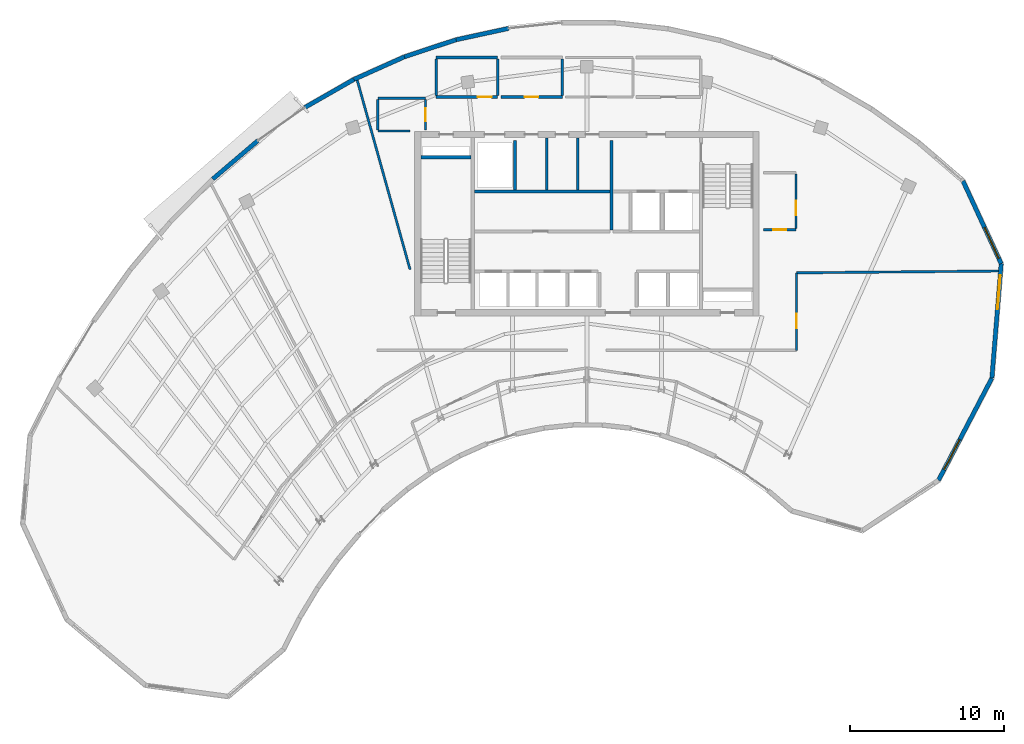
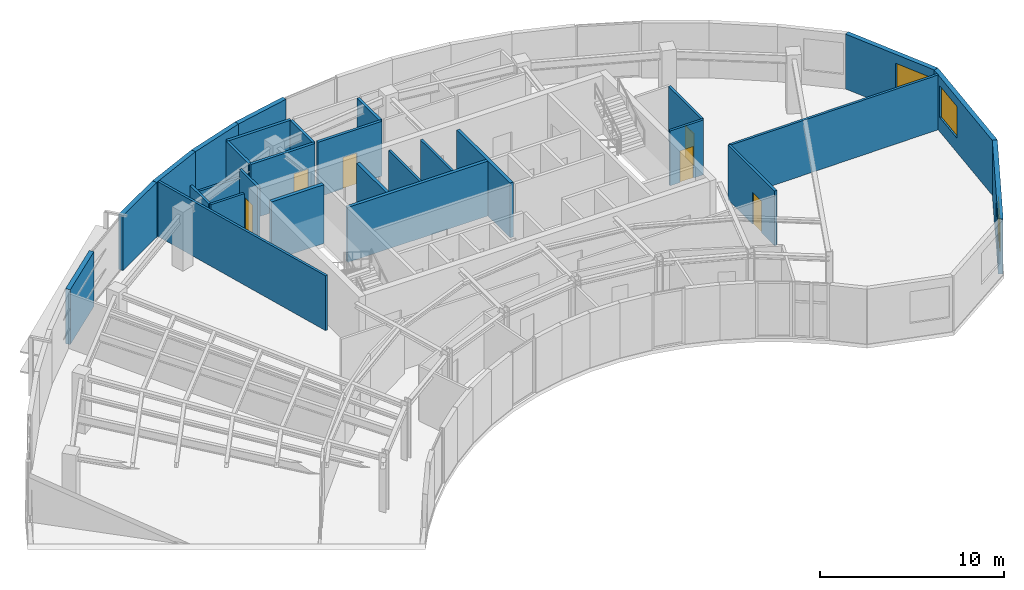
# One storey, part 10 of 13: 29 walls, 6 doors, 3 windows, 9 openings.
"""IFC4 building model written with IfcOpenShell, lengths in metres."""

from ifc_helpers import new_model, si_unit, direction, frame, frame_2d, origin, place, context, subcontext, project, spatial, rectangle, extrude, source, transform, mapped, material, layer, layer_set, type_object, type_shapes, element, fill, save


model = new_model("IFC4")

# Units and contexts
model_context = context("Model", 3, precision=1e-05, world=origin(), true_north=direction((0.0, 1.0)))
body_context = subcontext(model_context, "Body", "Model", "MODEL_VIEW")
ifc_project = project(units=[si_unit("LENGTHUNIT", "METRE"), si_unit("AREAUNIT", "SQUARE_METRE"), si_unit("VOLUMEUNIT", "CUBIC_METRE"), si_unit("PLANEANGLEUNIT", "RADIAN"), si_unit("MASSUNIT", "GRAM", prefix="KILO")], contexts=[model_context])

# Site, building, storey
site_placement = place(None, origin())
site = spatial("IfcSite", under=ifc_project, at=site_placement, CompositionType="ELEMENT")
building_placement = place(site_placement, origin())
building = spatial("IfcBuilding", under=site, at=building_placement, Name="Breltana Convention Tower", CompositionType="ELEMENT")
storey_placement = place(building_placement, frame((0.0, 0.0, 271.800048828125)))
storey = spatial("IfcBuildingStorey", under=building, at=storey_placement, Name="L66", CompositionType="ELEMENT", Elevation=271.800048828125)

# Wall
ifc_material_1 = material(Name="Concrete C50/60", Category="concrete")
ifc_layer_1 = layer(ifc_material_1, 0.39990234375, Name="Concrete C50/60")
ifc_layer_set_1 = layer_set([ifc_layer_1], Name="Concrete C50/60")
wall_type_1 = type_object("IfcWallType", Name="SW-CORE-400", PredefinedType="SHEAR", material=ifc_layer_set_1)
shared_shape_1 = source(origin(), body_context, "Body", "SweptSolid", [
    extrude(rectangle(XDim=3.27001953125, YDim=0.219970703125, at=frame_2d((1.635009765625, 0.0))), origin(), (0.0, 0.0, 1.0), 3.89990234375),
])
wall_1_placement = place(storey_placement, frame((37.199951171875, 70.510009765625, 0.0), z_axis=(0.0, 0.0, 1.0), x_axis=(1.0, 0.0, 0.0)))
element("IfcWall", 1, at=wall_1_placement, inside=storey, type_object=wall_type_1, Name="L66 ST-1 Stairwell North Bearing Wall", PredefinedType="SHEAR", context=body_context, shape_type="MappedRepresentation", body=[
    mapped(shared_shape_1, transform((0.0, 0.0, 0.0), scale=1.0)),
])

# Wall, opening, window
ifc_material_2 = material(Name="Limestone Buff Insulated Wall", Category="masonry")
ifc_layer_2 = layer(ifc_material_2, 0.280029296875, Name="Limestone Buff Insulated Wall")
ifc_layer_set_2 = layer_set([ifc_layer_2], Name="Limestone Buff Insulated Wall")
wall_type_2 = type_object("IfcWallType", Name="WL-EXT-NOSE-280", PredefinedType="SOLIDWALL", material=ifc_layer_set_2)
shared_shape_2 = source(origin(), body_context, "Body", "SweptSolid", [
    extrude(rectangle(XDim=5.927978515625, YDim=0.280029296875, at=frame_2d((2.9638671875, 0.0))), origin(), (0.0, 0.0, 1.0), 3.639892578125),
])
wall_2_placement = place(storey_placement, frame((72.45947265625, 68.978759765625, 0.0), z_axis=(0.0, 0.0, 1.0), x_axis=(0.41942378221, -0.907790554543, 0.0)))
wall_2 = element("IfcWall", 2, at=wall_2_placement, inside=storey, type_object=wall_type_2, Name="L66 curved limestone nose wall E1", PredefinedType="SOLIDWALL", context=body_context, shape_type="MappedRepresentation", body=[
    mapped(shared_shape_2, transform((0.0, 0.0, 0.0), scale=1.0)),
])
opening_1_placement = place(wall_2_placement, frame((3.345947265625, 0.0, 0.949951171875)))
opening_1 = element("IfcOpeningElement", 3, at=opening_1_placement, cuts=wall_2, Name="Opening W-03", PredefinedType="OPENING", context=body_context, shape_type="SweptSolid", body=[
    extrude(rectangle(XDim=2.199951171875, YDim=2.10009765625, at=frame_2d((1.10009765625, 1.050048828125))), frame((0.0, 0.14990234375, 0.0), z_axis=(0.0, -1.0, 0.0), x_axis=(1.0, 0.0, 0.0)), (0.0, 0.0, 1.0), 0.300048828125),
])
ifc_material_3 = material(Name="Glass Low-E Insulated Window", Category="glass")
window_type = type_object("IfcWindowType", Name="WN-NOSE-2200X2100", PartitioningType="TRIPLE_PANEL_VERTICAL", PredefinedType="WINDOW", material=ifc_material_3)
shared_shape_3 = source(origin(), body_context, "Body", "SweptSolid", [
    extrude(rectangle(XDim=2.199951171875, YDim=2.10009765625, at=frame_2d((1.10009765625, 1.050048828125))), frame((0.0, 0.030029296875, 0.0), z_axis=(0.0, -1.0, 0.0), x_axis=(1.0, 0.0, 0.0)), (0.0, 0.0, 1.0), 0.06005859375),
])
type_shapes(window_type, [shared_shape_3])
window_1_placement = place(opening_1_placement, origin())
window_1 = element("IfcWindow", 4, at=window_1_placement, inside=storey, type_object=window_type, Name="L66 nose window E1", OverallHeight=2.10009765625, OverallWidth=2.199951171875, PartitioningType="TRIPLE_PANEL_VERTICAL", PredefinedType="WINDOW", context=body_context, shape_type="MappedRepresentation", body=[
    mapped(shared_shape_3, transform((0.0, 0.0, 0.0), scale=1.0)),
])
fill(opening_1, window_1)

shared_shape_4 = source(origin(), body_context, "Body", "SweptSolid", [
    extrude(rectangle(XDim=7.4658203125, YDim=0.280029296875, at=frame_2d((3.73291015625, 0.0))), origin(), (0.0, 0.0, 1.0), 3.639892578125),
])
wall_3_placement = place(storey_placement, frame((74.94580078125, 63.597412109375, 0.0), z_axis=(0.0, 0.0, 1.0), x_axis=(-0.080804454221, -0.996729973553, 0.0)))
wall_3 = element("IfcWall", 5, at=wall_3_placement, inside=storey, type_object=wall_type_2, Name="L66 curved limestone nose wall E2", PredefinedType="SOLIDWALL", context=body_context, shape_type="MappedRepresentation", body=[
    mapped(shared_shape_4, transform((0.0, 0.0, 0.0), scale=1.0)),
])
opening_2_placement = place(wall_3_placement, frame((0.7666015625, 0.0, 0.949951171875)))
opening_2 = element("IfcOpeningElement", 6, at=opening_2_placement, cuts=wall_3, Name="Opening W-03", PredefinedType="OPENING", context=body_context, shape_type="SweptSolid", body=[
    extrude(rectangle(XDim=2.199951171875, YDim=2.10009765625, at=frame_2d((1.10009765625, 1.050048828125))), frame((0.0, 0.14990234375, 0.0), z_axis=(0.0, -1.0, 0.0), x_axis=(1.0, 0.0, 0.0)), (0.0, 0.0, 1.0), 0.300048828125),
])
window_2_placement = place(opening_2_placement, origin())
window_2 = element("IfcWindow", 7, at=window_2_placement, inside=storey, type_object=window_type, Name="L66 nose window E2", OverallHeight=2.10009765625, OverallWidth=2.199951171875, PartitioningType="TRIPLE_PANEL_VERTICAL", PredefinedType="WINDOW", context=body_context, shape_type="MappedRepresentation", body=[
    mapped(shared_shape_3, transform((0.0, 0.0, 0.0), scale=1.0)),
])
fill(opening_2, window_2)

shared_shape_5 = source(origin(), body_context, "Body", "SweptSolid", [
    extrude(rectangle(XDim=7.494873046875, YDim=0.280029296875, at=frame_2d((3.74755859375, 0.0))), origin(), (0.0, 0.0, 1.0), 3.639892578125),
])
wall_4_placement = place(storey_placement, frame((74.342529296875, 56.156005859375, 0.0), z_axis=(0.0, 0.0, 1.0), x_axis=(-0.463116979657, -0.886297164135, 0.0)))
wall_4 = element("IfcWall", 8, at=wall_4_placement, inside=storey, type_object=wall_type_2, Name="L66 curved limestone nose wall E3", PredefinedType="SOLIDWALL", context=body_context, shape_type="MappedRepresentation", body=[
    mapped(shared_shape_5, transform((0.0, 0.0, 0.0), scale=1.0)),
])
opening_3_placement = place(wall_4_placement, frame((4.52099609375, 0.0, 0.949951171875)))
opening_3 = element("IfcOpeningElement", 9, at=opening_3_placement, cuts=wall_4, Name="Opening W-03", PredefinedType="OPENING", context=body_context, shape_type="SweptSolid", body=[
    extrude(rectangle(XDim=2.199951171875, YDim=2.10009765625, at=frame_2d((1.10009765625, 1.050048828125))), frame((0.0, 0.14990234375, 0.0), z_axis=(0.0, -1.0, 0.0), x_axis=(1.0, 0.0, 0.0)), (0.0, 0.0, 1.0), 0.300048828125),
])
window_3_placement = place(opening_3_placement, origin())
window_3 = element("IfcWindow", 10, at=window_3_placement, inside=storey, type_object=window_type, Name="L66 nose window E3", OverallHeight=2.10009765625, OverallWidth=2.199951171875, PartitioningType="TRIPLE_PANEL_VERTICAL", PredefinedType="WINDOW", context=body_context, shape_type="MappedRepresentation", body=[
    mapped(shared_shape_3, transform((0.0, 0.0, 0.0), scale=1.0)),
])
fill(opening_3, window_3)

# Walls
shared_shape_6 = source(origin(), body_context, "Body", "SweptSolid", [
    extrude(rectangle(XDim=3.842529296875, YDim=0.280029296875, at=frame_2d((1.92138671875, 0.0))), origin(), (0.0, 0.0, 1.0), 3.639892578125),
])
wall_5_placement = place(storey_placement, frame((23.669677734375, 69.101318359375, 0.0), z_axis=(0.0, 0.0, 1.0), x_axis=(0.761508028279, 0.648155477387, 0.0)))
element("IfcWall", 11, at=wall_5_placement, inside=storey, type_object=wall_type_2, Name="L66 curved limestone nose wall E23", PredefinedType="SOLIDWALL", context=body_context, shape_type="MappedRepresentation", body=[
    mapped(shared_shape_6, transform((0.0, 0.0, 0.0), scale=1.0)),
])
shared_shape_7 = source(origin(), body_context, "Body", "SweptSolid", [
    extrude(rectangle(XDim=3.6708984375, YDim=0.280029296875, at=frame_2d((1.83544921875, 0.0))), origin(), (0.0, 0.0, 1.0), 3.639892578125),
])
wall_6_placement = place(storey_placement, frame((29.66162109375, 73.755615234375, 0.0), z_axis=(0.0, 0.0, 1.0), x_axis=(0.867931917784, 0.496683184829, 0.0)))
element("IfcWall", 12, at=wall_6_placement, inside=storey, type_object=wall_type_2, Name="L66 curved limestone nose wall E24", PredefinedType="SOLIDWALL", context=body_context, shape_type="MappedRepresentation", body=[
    mapped(shared_shape_7, transform((0.0, 0.0, 0.0), scale=1.0)),
])
shared_shape_8 = source(origin(), body_context, "Body", "SweptSolid", [
    extrude(rectangle(XDim=3.598876953125, YDim=0.280029296875, at=frame_2d((1.79931640625, 0.0))), origin(), (0.0, 0.0, 1.0), 3.639892578125),
])
wall_7_placement = place(storey_placement, frame((32.84765625, 75.578857421875, 0.0), z_axis=(0.0, 0.0, 1.0), x_axis=(0.912714407797, 0.40859810303, 0.0)))
element("IfcWall", 13, at=wall_7_placement, inside=storey, type_object=wall_type_2, Name="L66 curved limestone nose wall E25", PredefinedType="SOLIDWALL", context=body_context, shape_type="MappedRepresentation", body=[
    mapped(shared_shape_8, transform((0.0, 0.0, 0.0), scale=1.0)),
])
shared_shape_9 = source(origin(), body_context, "Body", "SweptSolid", [
    extrude(rectangle(XDim=3.540283203125, YDim=0.280029296875, at=frame_2d((1.77001953125, 0.0))), origin(), (0.0, 0.0, 1.0), 3.639892578125),
])
wall_8_placement = place(storey_placement, frame((36.13232421875, 77.04931640625, 0.0), z_axis=(0.0, 0.0, 1.0), x_axis=(0.949678507031, 0.313226329165, 0.0)))
element("IfcWall", 14, at=wall_8_placement, inside=storey, type_object=wall_type_2, Name="L66 curved limestone nose wall E26", PredefinedType="SOLIDWALL", context=body_context, shape_type="MappedRepresentation", body=[
    mapped(shared_shape_9, transform((0.0, 0.0, 0.0), scale=1.0)),
])
shared_shape_10 = source(origin(), body_context, "Body", "SweptSolid", [
    extrude(rectangle(XDim=3.49658203125, YDim=0.280029296875, at=frame_2d((1.748291015625, 0.0))), origin(), (0.0, 0.0, 1.0), 3.639892578125),
])
wall_9_placement = place(storey_placement, frame((39.494384765625, 78.158203125, 0.0), z_axis=(0.0, 0.0, 1.0), x_axis=(0.977379460136, 0.211493240802, 0.0)))
element("IfcWall", 15, at=wall_9_placement, inside=storey, type_object=wall_type_2, Name="L66 curved limestone nose wall E27", PredefinedType="SOLIDWALL", context=body_context, shape_type="MappedRepresentation", body=[
    mapped(shared_shape_10, transform((0.0, 0.0, 0.0), scale=1.0)),
])
ifc_material_4 = material(Name="Autoclaved Aerated Concrete Block", Category="concrete")
ifc_layer_3 = layer(ifc_material_4, 0.199951171875, Name="Autoclaved Aerated Concrete Block")
ifc_layer_set_3 = layer_set([ifc_layer_3], Name="Autoclaved Aerated Concrete Block")
wall_type_3 = type_object("IfcWallType", Name="WL-SHAFT-200", PredefinedType="SOLIDWALL", material=ifc_layer_set_3)
shared_shape_11 = source(origin(), body_context, "Body", "SweptSolid", [
    extrude(rectangle(XDim=5.800048828125, YDim=0.199951171875, at=frame_2d((2.89990234375, 0.0))), origin(), (0.0, 0.0, 1.0), 3.639892578125),
])
wall_10_placement = place(storey_placement, frame((49.60009765625, 65.800048828125, 0.0), z_axis=(0.0, 0.0, 1.0), x_axis=(0.0, 1.0, 0.0)))
element("IfcWall", 16, at=wall_10_placement, inside=storey, type_object=wall_type_3, Name="L66 interior partition W-L66-FFL-W", PredefinedType="SOLIDWALL", context=body_context, shape_type="MappedRepresentation", body=[
    mapped(shared_shape_11, transform((0.0, 0.0, 0.0), scale=1.0)),
])
shared_shape_12 = source(origin(), body_context, "Body", "SweptSolid", [
    extrude(rectangle(XDim=3.2001953125, YDim=0.199951171875, at=frame_2d((1.60009765625, 0.0))), origin(), (0.0, 0.0, 1.0), 3.639892578125),
])
wall_11_placement = place(storey_placement, frame((43.320068359375, 68.39990234375, 0.0), z_axis=(0.0, 0.0, 1.0), x_axis=(0.0, 1.0, 0.0)))
element("IfcWall", 17, at=wall_11_placement, inside=storey, type_object=wall_type_3, Name="L66 interior partition W-L66-SV-E", PredefinedType="SOLIDWALL", context=body_context, shape_type="MappedRepresentation", body=[
    mapped(shared_shape_12, transform((0.0, 0.0, 0.0), scale=1.0)),
])
shared_shape_13 = source(origin(), body_context, "Body", "SweptSolid", [
    extrude(rectangle(XDim=8.800048828125, YDim=0.199951171875, at=frame_2d((4.39990234375, 0.0))), origin(), (0.0, 0.0, 1.0), 3.639892578125),
])
wall_12_placement = place(storey_placement, frame((40.699951171875, 68.300048828125, 0.0), z_axis=(0.0, 0.0, 1.0), x_axis=(1.0, 0.0, 0.0)))
element("IfcWall", 18, at=wall_12_placement, inside=storey, type_object=wall_type_3, Name="L66 interior partition W-L66-SV-S", PredefinedType="SOLIDWALL", context=body_context, shape_type="MappedRepresentation", body=[
    mapped(shared_shape_13, transform((0.0, 0.0, 0.0), scale=1.0)),
])
ifc_material_5 = material(Name="Gypsum Acoustic Drywall Partition")
ifc_layer_4 = layer(ifc_material_5, 0.14990234375, Name="Gypsum Acoustic Drywall Partition")
ifc_layer_set_4 = layer_set([ifc_layer_4], Name="Gypsum Acoustic Drywall Partition")
wall_type_4 = type_object("IfcWallType", Name="WL-PART-150", PredefinedType="PARTITIONING", material=ifc_layer_set_4)
shared_shape_14 = source(origin(), body_context, "Body", "SweptSolid", [
    extrude(rectangle(XDim=2.10009765625, YDim=0.14990234375, at=frame_2d((1.050048828125, 0.0))), origin(), (0.0, 0.0, 1.0), 3.639892578125),
])
wall_13_placement = place(storey_placement, frame((34.39990234375, 72.219970703125, 0.0), z_axis=(0.0, 0.0, 1.0), x_axis=(1.0, 0.0, 0.0)))
element("IfcWall", 19, at=wall_13_placement, inside=storey, type_object=wall_type_4, Name="L66 interior partition W-L66-CRNE-S", PredefinedType="PARTITIONING", context=body_context, shape_type="MappedRepresentation", body=[
    mapped(shared_shape_14, transform((0.0, 0.0, 0.0), scale=1.0)),
])

# Wall, opening, door
wall_14_placement = place(storey_placement, frame((59.5, 65.800048828125, 0.0), z_axis=(0.0, 0.0, 1.0), x_axis=(1.0, 0.0, 0.0)))
wall_14 = element("IfcWall", 20, at=wall_14_placement, inside=storey, type_object=wall_type_4, Name="L66 interior partition W-L66-CRSE-S", PredefinedType="PARTITIONING", context=body_context, shape_type="MappedRepresentation", body=[
    mapped(shared_shape_14, transform((0.0, 0.0, 0.0), scale=1.0)),
])
opening_4_placement = place(wall_14_placement, frame((0.625, 0.0, 0.0)))
opening_4 = element("IfcOpeningElement", 21, at=opening_4_placement, cuts=wall_14, Name="Opening D-20", PredefinedType="OPENING", context=body_context, shape_type="SweptSolid", body=[
    extrude(rectangle(XDim=0.85009765625, YDim=2.10009765625, at=frame_2d((0.425048828125, 1.050048828125))), frame((0.0, 0.0849609375, 0.0), z_axis=(0.0, -1.0, 0.0), x_axis=(1.0, 0.0, 0.0)), (0.0, 0.0, 1.0), 0.169921875),
])
ifc_material_6 = material(Name="Steel Closet Fire Door", Category="steel")
door_type_1 = type_object("IfcDoorType", Name="DR-FD60-850", OperationType="NOTDEFINED", PredefinedType="DOOR", material=ifc_material_6)
shared_shape_15 = source(origin(), body_context, "Body", "SweptSolid", [
    extrude(rectangle(XDim=0.85009765625, YDim=2.10009765625, at=frame_2d((0.425048828125, 1.050048828125))), frame((0.0, 0.02490234375, 0.0), z_axis=(0.0, -1.0, 0.0), x_axis=(1.0, 0.0, 0.0)), (0.0, 0.0, 1.0), 0.050048828125),
])
type_shapes(door_type_1, [shared_shape_15])
door_1_placement = place(opening_4_placement, origin())
door_1 = element("IfcDoor", 22, at=door_1_placement, inside=storey, type_object=door_type_1, Name="L66 interior door D-L66-CRSE", OperationType="SINGLE_SWING_LEFT", OverallHeight=2.10009765625, OverallWidth=0.85009765625, PredefinedType="DOOR", context=body_context, shape_type="MappedRepresentation", body=[
    mapped(shared_shape_15, transform((0.0, 0.0, 0.0), scale=1.0)),
])
fill(opening_4, door_1)

# Wall
shared_shape_16 = source(origin(), body_context, "Body", "SweptSolid", [
    extrude(rectangle(XDim=1.994873046875, YDim=0.14990234375, at=frame_2d((0.99755859375, 0.0))), origin(), (0.0, 0.0, 1.0), 3.639892578125),
])
wall_15_placement = place(storey_placement, frame((34.39990234375, 72.28759765625, 0.0), z_axis=(0.0, 0.0, 1.0), x_axis=(0.0, 1.0, 0.0)))
element("IfcWall", 23, at=wall_15_placement, inside=storey, type_object=wall_type_4, Name="L66 interior partition W-L66-CRNE-W", PredefinedType="PARTITIONING", context=body_context, shape_type="MappedRepresentation", body=[
    mapped(shared_shape_16, transform((0.0, 0.0, 0.0), scale=1.0)),
])

# Wall, opening, door
shared_shape_17 = source(origin(), body_context, "Body", "SweptSolid", [
    extrude(rectangle(XDim=1.982421875, YDim=0.14990234375, at=frame_2d((0.9912109375, 0.0))), origin(), (0.0, 0.0, 1.0), 3.639892578125),
])
wall_16_placement = place(storey_placement, frame((37.5, 72.300048828125, 0.0), z_axis=(0.0, 0.0, 1.0), x_axis=(0.0, 1.0, 0.0)))
wall_16 = element("IfcWall", 24, at=wall_16_placement, inside=storey, type_object=wall_type_4, Name="L66 interior partition W-L66-CRNE-E", PredefinedType="PARTITIONING", context=body_context, shape_type="MappedRepresentation", body=[
    mapped(shared_shape_17, transform((0.0, 0.0, 0.0), scale=1.0)),
])
opening_5_placement = place(wall_16_placement, frame((0.56640625, 0.0, 0.0)))
opening_5 = element("IfcOpeningElement", 25, at=opening_5_placement, cuts=wall_16, Name="Opening D-20", PredefinedType="OPENING", context=body_context, shape_type="SweptSolid", body=[
    extrude(rectangle(XDim=0.85009765625, YDim=2.10009765625, at=frame_2d((0.425048828125, 1.050048828125))), frame((0.0, 0.0849609375, 0.0), z_axis=(0.0, -1.0, 0.0), x_axis=(1.0, 0.0, 0.0)), (0.0, 0.0, 1.0), 0.169921875),
])
door_2_placement = place(opening_5_placement, origin())
door_2 = element("IfcDoor", 26, at=door_2_placement, inside=storey, type_object=door_type_1, Name="L66 interior door D-L66-CRNE", OperationType="SINGLE_SWING_RIGHT", OverallHeight=2.10009765625, OverallWidth=0.85009765625, PredefinedType="DOOR", context=body_context, shape_type="MappedRepresentation", body=[
    mapped(shared_shape_15, transform((0.0, 0.0, 0.0), scale=1.0)),
])
fill(opening_5, door_2)

ifc_material_7 = material(Name="Cement Board Wet-Area Partition")
ifc_layer_5 = layer(ifc_material_7, 0.175048828125, Name="Cement Board Wet-Area Partition")
ifc_layer_set_5 = layer_set([ifc_layer_5], Name="Cement Board Wet-Area Partition")
wall_type_5 = type_object("IfcWallType", Name="WL-WET-175", PredefinedType="PARTITIONING", material=ifc_layer_set_5)
shared_shape_18 = source(origin(), body_context, "Body", "SweptSolid", [
    extrude(rectangle(XDim=4.0, YDim=0.175048828125, at=frame_2d((2.0, 0.0))), origin(), (0.0, 0.0, 1.0), 3.639892578125),
])
wall_17_placement = place(storey_placement, frame((38.199951171875, 74.43994140625, 0.0), z_axis=(0.0, 0.0, 1.0), x_axis=(1.0, 0.0, 0.0)))
wall_17 = element("IfcWall", 27, at=wall_17_placement, inside=storey, type_object=wall_type_5, Name="L66 interior partition W-L66-WCM-S", PredefinedType="PARTITIONING", context=body_context, shape_type="MappedRepresentation", body=[
    mapped(shared_shape_18, transform((0.0, 0.0, 0.0), scale=1.0)),
])
opening_6_placement = place(wall_17_placement, frame((2.699951171875, 0.0, 0.0)))
opening_6 = element("IfcOpeningElement", 28, at=opening_6_placement, cuts=wall_17, Name="Opening D-19", PredefinedType="OPENING", context=body_context, shape_type="SweptSolid", body=[
    extrude(rectangle(XDim=0.89990234375, YDim=2.080078125, at=frame_2d((0.449951171875, 1.0400390625))), frame((0.0, 0.09765625, 0.0), z_axis=(0.0, -1.0, 0.0), x_axis=(1.0, 0.0, 0.0)), (0.0, 0.0, 1.0), 0.195068359375),
])
ifc_material_8 = material(Name="Timber Moisture-Resistant Door", Category="wood")
door_type_2 = type_object("IfcDoorType", Name="DR-WC-900", OperationType="NOTDEFINED", PredefinedType="DOOR", material=ifc_material_8)
shared_shape_19 = source(origin(), body_context, "Body", "SweptSolid", [
    extrude(rectangle(XDim=0.89990234375, YDim=2.080078125, at=frame_2d((0.449951171875, 1.0400390625))), frame((0.0, 0.02490234375, 0.0), z_axis=(0.0, -1.0, 0.0), x_axis=(1.0, 0.0, 0.0)), (0.0, 0.0, 1.0), 0.050048828125),
])
type_shapes(door_type_2, [shared_shape_19])
door_3_placement = place(opening_6_placement, origin())
door_3 = element("IfcDoor", 29, at=door_3_placement, inside=storey, type_object=door_type_2, Name="L66 interior door D-L66-WCM", OperationType="SINGLE_SWING_RIGHT", OverallHeight=2.080078125, OverallWidth=0.89990234375, PredefinedType="DOOR", context=body_context, shape_type="MappedRepresentation", body=[
    mapped(shared_shape_19, transform((0.0, 0.0, 0.0), scale=1.0)),
])
fill(opening_6, door_3)

wall_18_placement = place(storey_placement, frame((42.39990234375, 74.43994140625, 0.0), z_axis=(0.0, 0.0, 1.0), x_axis=(1.0, 0.0, 0.0)))
wall_18 = element("IfcWall", 30, at=wall_18_placement, inside=storey, type_object=wall_type_5, Name="L66 interior partition W-L66-WCF-S", PredefinedType="PARTITIONING", context=body_context, shape_type="MappedRepresentation", body=[
    mapped(shared_shape_18, transform((0.0, 0.0, 0.0), scale=1.0)),
])
opening_7_placement = place(wall_18_placement, frame((1.550048828125, 0.0, 0.0)))
opening_7 = element("IfcOpeningElement", 31, at=opening_7_placement, cuts=wall_18, Name="Opening D-19", PredefinedType="OPENING", context=body_context, shape_type="SweptSolid", body=[
    extrude(rectangle(XDim=0.89990234375, YDim=2.080078125, at=frame_2d((0.449951171875, 1.0400390625))), frame((0.0, 0.09765625, 0.0), z_axis=(0.0, -1.0, 0.0), x_axis=(1.0, 0.0, 0.0)), (0.0, 0.0, 1.0), 0.195068359375),
])
door_4_placement = place(opening_7_placement, origin())
door_4 = element("IfcDoor", 32, at=door_4_placement, inside=storey, type_object=door_type_2, Name="L66 interior door D-L66-WCF", OperationType="SINGLE_SWING_LEFT", OverallHeight=2.080078125, OverallWidth=0.89990234375, PredefinedType="DOOR", context=body_context, shape_type="MappedRepresentation", body=[
    mapped(shared_shape_19, transform((0.0, 0.0, 0.0), scale=1.0)),
])
fill(opening_7, door_4)

# Walls
ifc_material_9 = material(Name="Moisture-Resistant Gypsum Chase Wall")
ifc_layer_6 = layer(ifc_material_9, 0.179931640625, Name="Moisture-Resistant Gypsum Chase Wall")
ifc_layer_set_6 = layer_set([ifc_layer_6], Name="Moisture-Resistant Gypsum Chase Wall")
wall_type_6 = type_object("IfcWallType", Name="WL-PLUMB-180", PredefinedType="PLUMBINGWALL", material=ifc_layer_set_6)
shared_shape_20 = source(origin(), body_context, "Body", "SweptSolid", [
    extrude(rectangle(XDim=4.0, YDim=0.179931640625, at=frame_2d((2.0, 0.0))), origin(), (0.0, 0.0, 1.0), 3.639892578125),
])
wall_19_placement = place(storey_placement, frame((38.199951171875, 77.0, 0.0), z_axis=(0.0, 0.0, 1.0), x_axis=(1.0, 0.0, 0.0)))
element("IfcWall", 33, at=wall_19_placement, inside=storey, type_object=wall_type_6, Name="L66 interior partition W-L66-WCM-N", PredefinedType="PLUMBINGWALL", context=body_context, shape_type="MappedRepresentation", body=[
    mapped(shared_shape_20, transform((0.0, 0.0, 0.0), scale=1.0)),
])
shared_shape_21 = source(origin(), body_context, "Body", "SweptSolid", [
    extrude(rectangle(XDim=2.402587890625, YDim=0.175048828125, at=frame_2d((1.201171875, 0.0))), origin(), (0.0, 0.0, 1.0), 3.639892578125),
])
for number, where, z_axis, x_axis, name in (
    (34, (38.199951171875, 74.518798828125, 0.0), (0.0, 0.0, 1.0), (0.0, 1.0, 0.0), "L66 interior partition W-L66-WCM-W"),
    (35, (42.199951171875, 74.518798828125, 0.0), (0.0, 0.0, 1.0), (0.0, 1.0, 0.0), "L66 interior partition W-L66-WCM-E"),
    (36, (46.39990234375, 74.518798828125, 0.0), (0.0, 0.0, 1.0), (0.0, 1.0, 0.0), "L66 interior partition W-L66-WCF-E"),
):
    element("IfcWall", number, at=place(storey_placement, frame(where, z_axis=z_axis, x_axis=x_axis)), inside=storey, type_object=wall_type_5, Name=name, PredefinedType="PARTITIONING", context=body_context, shape_type="MappedRepresentation", body=[
        mapped(shared_shape_21, transform((0.0, 0.0, 0.0), scale=1.0)),
    ])
shared_shape_22 = source(origin(), body_context, "Body", "SweptSolid", [
    extrude(rectangle(XDim=3.10009765625, YDim=0.14990234375, at=frame_2d((1.550048828125, 0.0))), origin(), (0.0, 0.0, 1.0), 3.071044921875),
])
wall_20_placement = place(storey_placement, frame((34.39990234375, 74.35009765625, 0.0), z_axis=(0.0, 0.0, 1.0), x_axis=(1.0, 0.0, 0.0)))
element("IfcWall", 37, at=wall_20_placement, inside=storey, type_object=wall_type_4, Name="L66 interior partition W-L66-CRNE-N", PredefinedType="PARTITIONING", context=body_context, shape_type="MappedRepresentation", body=[
    mapped(shared_shape_22, transform((0.0, 0.0, 0.0), scale=1.0)),
])

# Wall, opening, door
shared_shape_23 = source(origin(), body_context, "Body", "SweptSolid", [
    extrude(rectangle(XDim=3.565185546875, YDim=0.14990234375, at=frame_2d((1.78271484375, 0.0))), origin(), (0.0, 0.0, 1.0), 3.639892578125),
])
wall_21_placement = place(storey_placement, frame((61.60009765625, 65.867431640625, 0.0), z_axis=(0.0, 0.0, 1.0), x_axis=(0.0, 1.0, 0.0)))
wall_21 = element("IfcWall", 38, at=wall_21_placement, inside=storey, type_object=wall_type_4, Name="L66 interior partition W-L66-CRSE-E", PredefinedType="PARTITIONING", context=body_context, shape_type="MappedRepresentation", body=[
    mapped(shared_shape_23, transform((0.0, 0.0, 0.0), scale=1.0)),
])
opening_8_placement = place(wall_21_placement, frame((0.879638671875, 0.0, 0.0)))
opening_8 = element("IfcOpeningElement", 39, at=opening_8_placement, cuts=wall_21, Name="Opening D-17", PredefinedType="OPENING", context=body_context, shape_type="SweptSolid", body=[
    extrude(rectangle(XDim=0.949951171875, YDim=2.10009765625, at=frame_2d((0.47509765625, 1.050048828125))), frame((0.0, 0.0849609375, 0.0), z_axis=(0.0, -1.0, 0.0), x_axis=(1.0, 0.0, 0.0)), (0.0, 0.0, 1.0), 0.169921875),
])
ifc_material_10 = material(Name="Timber Oak Veneer Door", Category="wood")
door_type_3 = type_object("IfcDoorType", Name="DR-INT-950", OperationType="NOTDEFINED", PredefinedType="DOOR", material=ifc_material_10)
shared_shape_24 = source(origin(), body_context, "Body", "SweptSolid", [
    extrude(rectangle(XDim=0.949951171875, YDim=2.10009765625, at=frame_2d((0.47509765625, 1.050048828125))), frame((0.0, 0.02490234375, 0.0), z_axis=(0.0, -1.0, 0.0), x_axis=(1.0, 0.0, 0.0)), (0.0, 0.0, 1.0), 0.050048828125),
])
type_shapes(door_type_3, [shared_shape_24])
door_5_placement = place(opening_8_placement, origin())
door_5 = element("IfcDoor", 40, at=door_5_placement, inside=storey, type_object=door_type_3, Name="L66 interior door D-L66-EXE2", OperationType="SINGLE_SWING_RIGHT", OverallHeight=2.10009765625, OverallWidth=0.949951171875, PredefinedType="DOOR", context=body_context, shape_type="MappedRepresentation", body=[
    mapped(shared_shape_24, transform((0.0, 0.0, 0.0), scale=1.0)),
])
fill(opening_8, door_5)

# Walls
shared_shape_25 = source(origin(), body_context, "Body", "SweptSolid", [
    extrude(rectangle(XDim=3.380126953125, YDim=0.14990234375, at=frame_2d((1.68994140625, 0.0))), origin(), (0.0, 0.0, 1.0), 3.639892578125),
])
for number, where, z_axis, x_axis, name in (
    (41, (45.39990234375, 68.39990234375, 0.0), (0.0, 0.0, 1.0), (0.0, 1.0, 0.0), "L66 interior partition W-L66-KV-1"),
    (42, (47.39990234375, 68.39990234375, 0.0), (0.0, 0.0, 1.0), (0.0, 1.0, 0.0), "L66 interior partition W-L66-KV-2"),
):
    element("IfcWall", number, at=place(storey_placement, frame(where, z_axis=z_axis, x_axis=x_axis)), inside=storey, type_object=wall_type_4, Name=name, PredefinedType="PARTITIONING", context=body_context, shape_type="MappedRepresentation", body=[
        mapped(shared_shape_25, transform((0.0, 0.0, 0.0), scale=1.0)),
    ])
shared_shape_26 = source(origin(), body_context, "Body", "SweptSolid", [
    extrude(rectangle(XDim=12.90869140625, YDim=0.14990234375, at=frame_2d((6.454345703125, 0.0))), origin(), (0.0, 0.0, 1.0), 3.639892578125),
])
wall_22_placement = place(storey_placement, frame((36.5, 63.216064453125, 0.0), z_axis=(0.0, 0.0, 1.0), x_axis=(-0.268750817191, 0.963209737419, 0.0)))
element("IfcWall", 43, at=wall_22_placement, inside=storey, type_object=wall_type_4, Name="L66 interior partition W-L66-EXWR2-RB", PredefinedType="PARTITIONING", context=body_context, shape_type="MappedRepresentation", body=[
    mapped(shared_shape_26, transform((0.0, 0.0, 0.0), scale=1.0)),
])
shared_shape_27 = source(origin(), body_context, "Body", "SweptSolid", [
    extrude(rectangle(XDim=13.147216796875, YDim=0.14990234375, at=frame_2d((6.57373046875, 0.0))), origin(), (0.0, 0.0, 1.0), 3.639892578125),
])
wall_23_placement = place(storey_placement, frame((61.639892578125, 63.0, 0.0), z_axis=(0.0, 0.0, 1.0), x_axis=(0.999960274322, 0.008913460448, 0.0)))
element("IfcWall", 44, at=wall_23_placement, inside=storey, type_object=wall_type_4, Name="L66 interior partition W-L66-EXE1-N", PredefinedType="PARTITIONING", context=body_context, shape_type="MappedRepresentation", body=[
    mapped(shared_shape_27, transform((0.0, 0.0, 0.0), scale=1.0)),
])

# Wall, opening, door
shared_shape_28 = source(origin(), body_context, "Body", "SweptSolid", [
    extrude(rectangle(XDim=5.0400390625, YDim=0.14990234375, at=frame_2d((2.52001953125, 0.0))), origin(), (0.0, 0.0, 1.0), 3.639892578125),
])
wall_24_placement = place(storey_placement, frame((61.639892578125, 57.9599609375, 0.0), z_axis=(0.0, 0.0, 1.0), x_axis=(0.0, 1.0, 0.0)))
wall_24 = element("IfcWall", 45, at=wall_24_placement, inside=storey, type_object=wall_type_4, Name="L66 interior partition W-L66-EXE1-ENT", PredefinedType="PARTITIONING", context=body_context, shape_type="MappedRepresentation", body=[
    mapped(shared_shape_28, transform((0.0, 0.0, 0.0), scale=1.0)),
])
opening_9_placement = place(wall_24_placement, frame((1.440185546875, 0.0, 0.0)))
opening_9 = element("IfcOpeningElement", 46, at=opening_9_placement, cuts=wall_24, Name="Opening D-17", PredefinedType="OPENING", context=body_context, shape_type="SweptSolid", body=[
    extrude(rectangle(XDim=0.949951171875, YDim=2.10009765625, at=frame_2d((0.47509765625, 1.050048828125))), frame((0.0, 0.0849609375, 0.0), z_axis=(0.0, -1.0, 0.0), x_axis=(1.0, 0.0, 0.0)), (0.0, 0.0, 1.0), 0.169921875),
])
door_6_placement = place(opening_9_placement, origin())
door_6 = element("IfcDoor", 47, at=door_6_placement, inside=storey, type_object=door_type_3, Name="L66 interior door D-L66-EXE1", OperationType="SINGLE_SWING_LEFT", OverallHeight=2.10009765625, OverallWidth=0.949951171875, PredefinedType="DOOR", context=body_context, shape_type="MappedRepresentation", body=[
    mapped(shared_shape_24, transform((0.0, 0.0, 0.0), scale=1.0)),
])
fill(opening_9, door_6)

save(model, "model.ifc")
